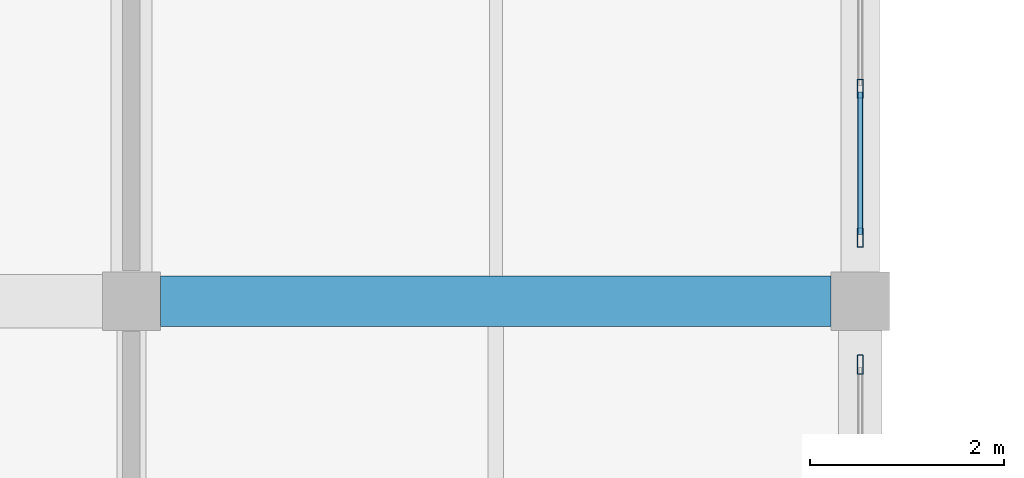
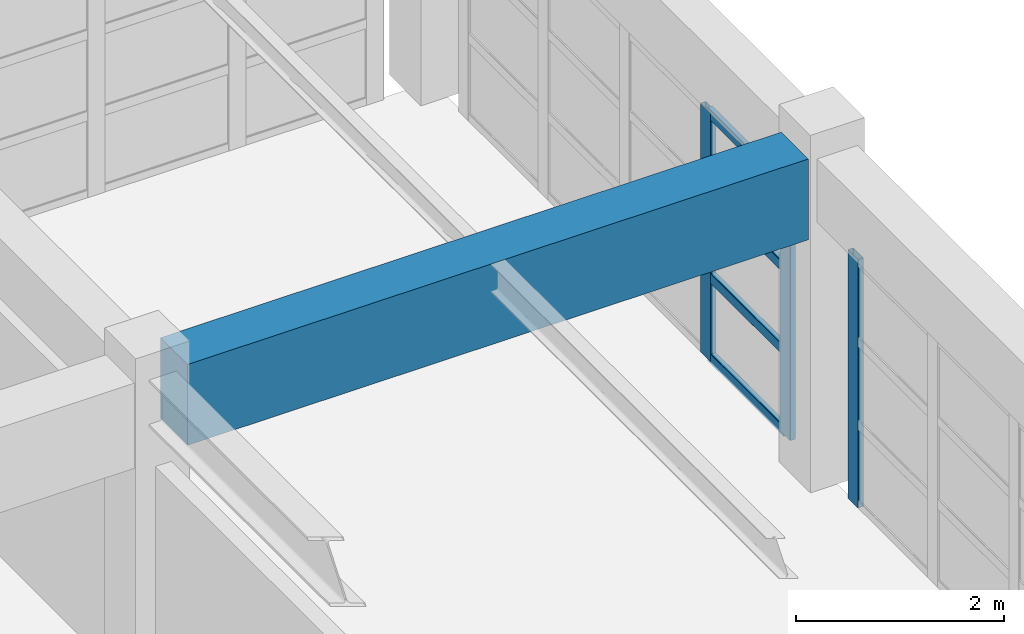
# One storey, part 23 of 124: 7 members, 1 beam, 2 elements without a shape of their own.
"""IFC4 building model written with IfcOpenShell, lengths in metres."""

from ifc_helpers import new_model, si_unit, direction, frame, origin, origin_2d, place, context, subcontext, project, spatial, rectangle, hollow_rectangle, extrude, material, material_profile, profile_set, type_object, element, aggregate, save


model = new_model("IFC4")

# Units and contexts
model_context = context("Model", 3, precision=1e-05, world=origin(), true_north=direction((0.0, 1.0)))
body_context = subcontext(model_context, "Body", "Model", "MODEL_VIEW")
ifc_project = project(units=[si_unit("LENGTHUNIT", "METRE"), si_unit("AREAUNIT", "SQUARE_METRE"), si_unit("VOLUMEUNIT", "CUBIC_METRE"), si_unit("PLANEANGLEUNIT", "RADIAN"), si_unit("MASSUNIT", "GRAM", prefix="KILO")], contexts=[model_context])

# Site, building, storey
site_placement = place(None, origin())
site = spatial("IfcSite", under=ifc_project, at=site_placement, CompositionType="ELEMENT")
building_placement = place(site_placement, origin())
building = spatial("IfcBuilding", under=site, at=building_placement, Name="Qasida Concert Hall", CompositionType="ELEMENT")
storey_placement = place(building_placement, frame((0.0, 0.0, 9.0)))
storey = spatial("IfcBuildingStorey", under=building, at=storey_placement, Name="L02", CompositionType="ELEMENT", Elevation=9.0)

# Beam
ifc_material_1 = material(Name="Concrete C40/50", Category="concrete")
ifc_material_profile_1 = material_profile(ifc_material_1, rectangle(XDim=0.52001953125, YDim=0.949951171875, at=origin_2d()), Name="RC 520x950")
ifc_profile_set_1 = profile_set([ifc_material_profile_1], Name="Concrete C40/50")
beam_type = type_object("IfcBeamType", Name="BM-G7", PredefinedType="USERDEFINED", material=ifc_profile_set_1)
beam_placement = place(storey_placement, frame((30.300048828125, 45.0, 3.425048828125), z_axis=(1.0, 0.0, 0.0), x_axis=(0.0, 1.0, 0.0)))
element("IfcBeam", 1, at=beam_placement, inside=storey, type_object=beam_type, Name="Primary girder 1289", ObjectType="GIRDER", PredefinedType="USERDEFINED", context=body_context, shape_type="SweptSolid", body=[
    extrude(rectangle(XDim=0.52001953125, YDim=0.949951171875, at=origin_2d()), origin(), (0.0, 0.0, 1.0), 6.89990234375),
])

# Curtain wall, member
ifc_material_2 = material(Name="Architectural bronze-anodized aluminium and low-E glass", Category="aluminium")
curtain_wall_type = type_object("IfcCurtainWallType", Name="CW-08", PredefinedType="NOTDEFINED", material=ifc_material_2)
curtain_wall_1_placement = place(storey_placement, origin())
curtain_wall_1 = element("IfcCurtainWall", 2, at=curtain_wall_1_placement, inside=storey, type_object=curtain_wall_type, Name="L02 curtain wall CW-08 0115", PredefinedType="NOTDEFINED")
ifc_material_3 = material(Name="Architectural bronze-anodized aluminium EN AW-6063", Category="aluminium")
ifc_material_profile_2 = material_profile(ifc_material_3, hollow_rectangle(XDim=0.06494140625, YDim=0.199951171875, WallThickness=0.0048828125, InnerFilletRadius=0.0048828125, OuterFilletRadius=0.010009765625, at=origin_2d()), Name="CWM 200x65x5")
ifc_profile_set_2 = profile_set([ifc_material_profile_2], Name="Architectural bronze-anodized aluminium EN AW-6063")
member_type_1 = type_object("IfcMemberType", Name="MB-CWM-2", PredefinedType="MULLION", material=ifc_profile_set_2)
member_1_placement = place(storey_placement, frame((37.5, 44.347412109375, 0.0), z_axis=(0.0, 0.0, 1.0), x_axis=(-1.0, 0.0, 0.0)))
member_1 = element("IfcMember", 3, at=member_1_placement, type_object=member_type_1, Name="CW-08 mullion 5", PredefinedType="MULLION", context=body_context, shape_type="SweptSolid", body=[
    extrude(hollow_rectangle(XDim=0.06494140625, YDim=0.199951171875, WallThickness=0.0048828125, InnerFilletRadius=0.0048828125, OuterFilletRadius=0.010009765625, at=origin_2d()), origin(), (0.0, 0.0, 1.0), 2.919921875),
])
aggregate(curtain_wall_1, [member_1])

# Curtain wall, members
curtain_wall_2_placement = place(storey_placement, origin())
curtain_wall_2 = element("IfcCurtainWall", 4, at=curtain_wall_2_placement, inside=storey, type_object=curtain_wall_type, Name="L02 curtain wall CW-08 0116", PredefinedType="NOTDEFINED")
member_2_placement = place(storey_placement, frame((37.5, 45.652587890625, 0.0), z_axis=(0.0, 0.0, 1.0), x_axis=(-1.0, 0.0, 0.0)))
member_2 = element("IfcMember", 5, at=member_2_placement, type_object=member_type_1, Name="CW-08 mullion 1", PredefinedType="MULLION", context=body_context, shape_type="SweptSolid", body=[
    extrude(hollow_rectangle(XDim=0.06494140625, YDim=0.199951171875, WallThickness=0.0048828125, InnerFilletRadius=0.0048828125, OuterFilletRadius=0.010009765625, at=origin_2d()), origin(), (0.0, 0.0, 1.0), 2.919921875),
])
member_3_placement = place(storey_placement, frame((37.5, 47.18505859375, 0.0), z_axis=(0.0, 0.0, 1.0), x_axis=(-1.0, 0.0, 0.0)))
member_3 = element("IfcMember", 6, at=member_3_placement, type_object=member_type_1, Name="CW-08 mullion 2", PredefinedType="MULLION", context=body_context, shape_type="SweptSolid", body=[
    extrude(hollow_rectangle(XDim=0.06494140625, YDim=0.199951171875, WallThickness=0.0048828125, InnerFilletRadius=0.0048828125, OuterFilletRadius=0.010009765625, at=origin_2d()), origin(), (0.0, 0.0, 1.0), 2.919921875),
])
ifc_material_profile_3 = material_profile(ifc_material_3, hollow_rectangle(XDim=0.06005859375, YDim=0.1201171875, WallThickness=0.00390625, InnerFilletRadius=0.00390625, OuterFilletRadius=0.008056640625, at=origin_2d()), Name="CWT 120x60x4")
ifc_profile_set_3 = profile_set([ifc_material_profile_3], Name="Architectural bronze-anodized aluminium EN AW-6063")
member_type_2 = type_object("IfcMemberType", Name="MB-CWT-2", PredefinedType="USERDEFINED", material=ifc_profile_set_3)
member_4_placement = place(storey_placement, frame((37.5, 45.68505859375, 0.030029296875), z_axis=(0.0, 1.0, 0.0), x_axis=(-1.0, 0.0, 0.0)))
member_4 = element("IfcMember", 7, at=member_4_placement, type_object=member_type_2, Name="CW-08 transom 1.1", ObjectType="TRANSOM", PredefinedType="USERDEFINED", context=body_context, shape_type="SweptSolid", body=[
    extrude(hollow_rectangle(XDim=0.06005859375, YDim=0.1201171875, WallThickness=0.00390625, InnerFilletRadius=0.00390625, OuterFilletRadius=0.008056640625, at=origin_2d()), origin(), (0.0, 0.0, 1.0), 1.467529296875),
])
member_5_placement = place(storey_placement, frame((37.5, 45.68505859375, 0.973388671875), z_axis=(0.0, 1.0, 0.0), x_axis=(-1.0, 0.0, 0.0)))
member_5 = element("IfcMember", 8, at=member_5_placement, type_object=member_type_2, Name="CW-08 transom 1.2", ObjectType="TRANSOM", PredefinedType="USERDEFINED", context=body_context, shape_type="SweptSolid", body=[
    extrude(hollow_rectangle(XDim=0.06005859375, YDim=0.1201171875, WallThickness=0.00390625, InnerFilletRadius=0.00390625, OuterFilletRadius=0.008056640625, at=origin_2d()), origin(), (0.0, 0.0, 1.0), 1.467529296875),
])
member_6_placement = place(storey_placement, frame((37.5, 45.68505859375, 1.94677734375), z_axis=(0.0, 1.0, 0.0), x_axis=(-1.0, 0.0, 0.0)))
member_6 = element("IfcMember", 9, at=member_6_placement, type_object=member_type_2, Name="CW-08 transom 1.3", ObjectType="TRANSOM", PredefinedType="USERDEFINED", context=body_context, shape_type="SweptSolid", body=[
    extrude(hollow_rectangle(XDim=0.06005859375, YDim=0.1201171875, WallThickness=0.00390625, InnerFilletRadius=0.00390625, OuterFilletRadius=0.008056640625, at=origin_2d()), origin(), (0.0, 0.0, 1.0), 1.467529296875),
])
member_7_placement = place(storey_placement, frame((37.5, 45.68505859375, 2.889892578125), z_axis=(0.0, 1.0, 0.0), x_axis=(-1.0, 0.0, 0.0)))
member_7 = element("IfcMember", 10, at=member_7_placement, type_object=member_type_2, Name="CW-08 transom 1.4", ObjectType="TRANSOM", PredefinedType="USERDEFINED", context=body_context, shape_type="SweptSolid", body=[
    extrude(hollow_rectangle(XDim=0.06005859375, YDim=0.1201171875, WallThickness=0.00390625, InnerFilletRadius=0.00390625, OuterFilletRadius=0.008056640625, at=origin_2d()), origin(), (0.0, 0.0, 1.0), 1.467529296875),
])
aggregate(curtain_wall_2, [member_2, member_3, member_4, member_5, member_6, member_7])

save(model, "model.ifc")
